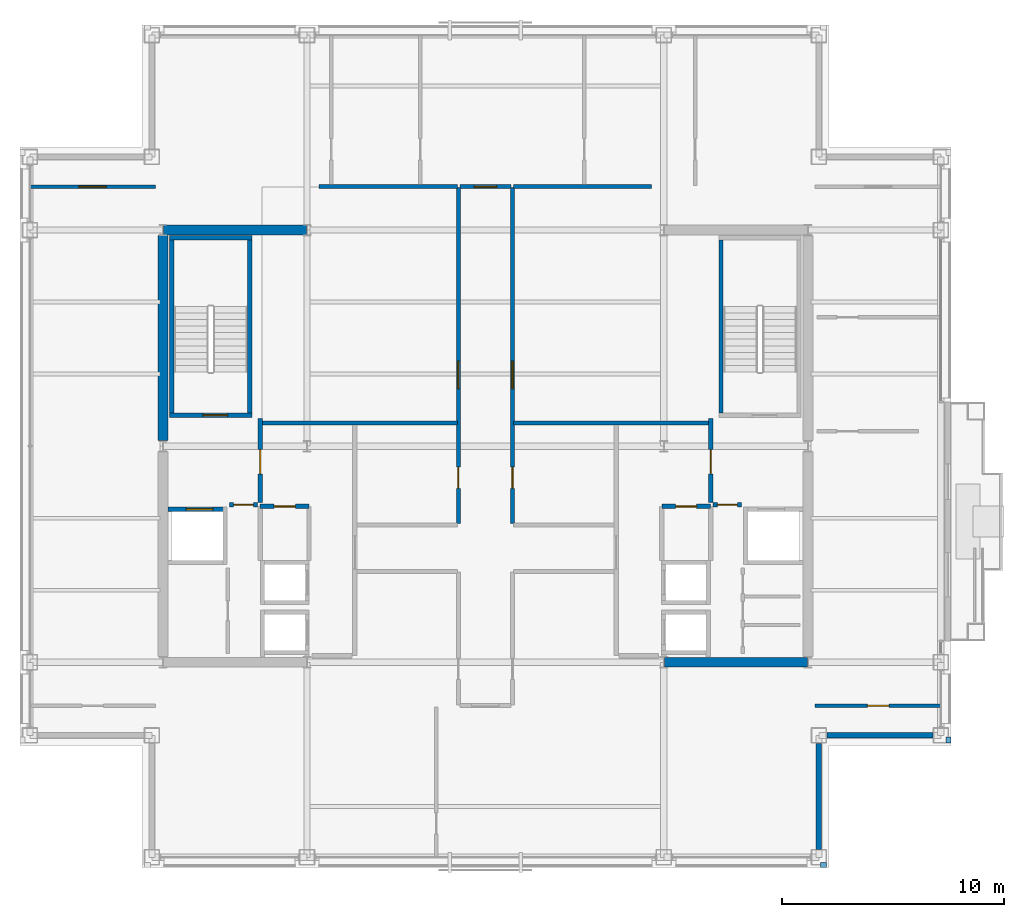
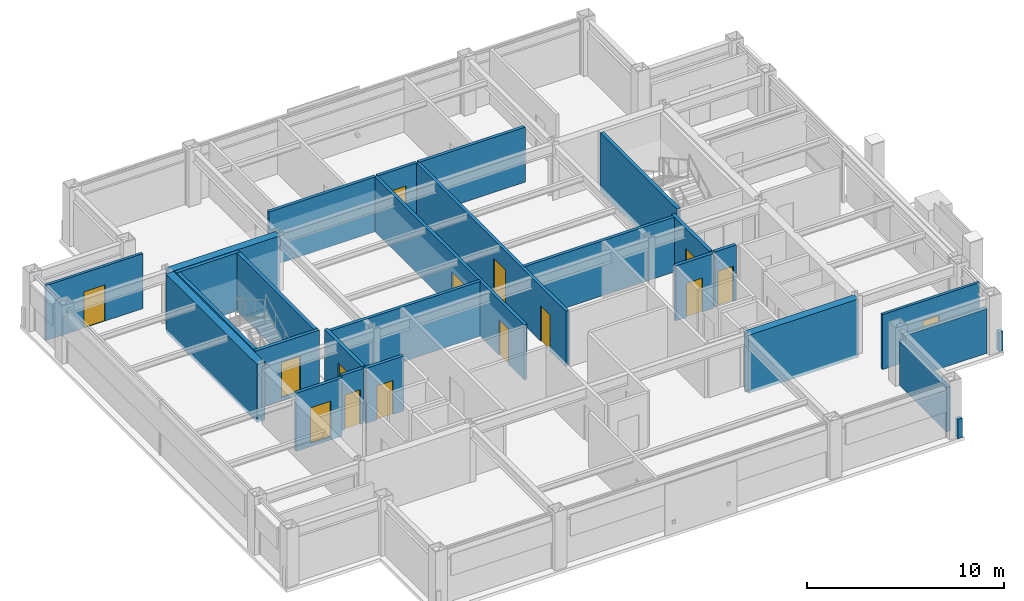
# One storey, part 26 of 30: 28 walls, 15 doors, 15 openings.
"""IFC4 building model written with IfcOpenShell, lengths in metres."""

from ifc_helpers import new_model, si_unit, direction, frame, frame_2d, origin, place, context, subcontext, project, spatial, rectangle, extrude, material, layer, layer_set, type_object, element, fill, save


model = new_model("IFC4")

# Units and contexts
model_context = context("Model", 3, precision=1e-05, world=origin(), true_north=direction((0.0, 1.0)))
body_context = subcontext(model_context, "Body", "Model", "MODEL_VIEW")
ifc_project = project(units=[si_unit("LENGTHUNIT", "METRE"), si_unit("AREAUNIT", "SQUARE_METRE"), si_unit("VOLUMEUNIT", "CUBIC_METRE"), si_unit("PLANEANGLEUNIT", "RADIAN"), si_unit("MASSUNIT", "GRAM", prefix="KILO")], contexts=[model_context])

# Site, building, storey
site_placement = place(None, origin())
site = spatial("IfcSite", under=ifc_project, at=site_placement, CompositionType="ELEMENT")
building_placement = place(site_placement, origin())
building = spatial("IfcBuilding", under=site, at=building_placement, Name="Brelmoor Portico Tower", CompositionType="ELEMENT")
storey_placement = place(building_placement, frame((0.0, 0.0, 198.300048828125)))
storey = spatial("IfcBuildingStorey", under=building, at=storey_placement, Name="L52", CompositionType="ELEMENT", Elevation=198.300048828125)

# Walls
ifc_material_1 = material(Name="Concrete C50", Category="concrete")
ifc_layer_1 = layer(ifc_material_1, 0.449951171875)
ifc_layer_set_1 = layer_set([ifc_layer_1], Name="Concrete C50")
wall_type_1 = type_object("IfcWallType", Name="WL-CORE-450", PredefinedType="SHEAR", material=ifc_layer_set_1)
wall_1_placement = place(storey_placement, frame((-14.530029296875, 9.75, -0.199951171875), z_axis=(0.0, 0.0, 1.0), x_axis=(1.0, 0.0, 0.0)))
element("IfcWall", 1, at=wall_1_placement, inside=storey, type_object=wall_type_1, Name="L52 WC North Shear Wall", PredefinedType="SHEAR", context=body_context, shape_type="SweptSolid", body=[
    extrude(rectangle(XDim=6.4599609375, YDim=0.449951171875, at=frame_2d((3.22998046875, 0.0))), origin(), (0.0, 0.0, 1.0), 3.599853515625),
])
wall_2_placement = place(storey_placement, frame((-14.550048828125, 0.25, -0.199951171875), z_axis=(0.0, 0.0, 1.0), x_axis=(0.0, 1.0, 0.0)))
element("IfcWall", 2, at=wall_2_placement, inside=storey, type_object=wall_type_1, Name="L52 WC Outer North Shear Wall", PredefinedType="SHEAR", context=body_context, shape_type="SweptSolid", body=[
    extrude(rectangle(XDim=9.25, YDim=0.449951171875, at=frame_2d((4.625, 0.0))), origin(), (0.0, 0.0, 1.0), 3.599853515625),
])
wall_3_placement = place(storey_placement, frame((8.070068359375, -9.75, -0.199951171875), z_axis=(0.0, 0.0, 1.0), x_axis=(1.0, 0.0, 0.0)))
element("IfcWall", 3, at=wall_3_placement, inside=storey, type_object=wall_type_1, Name="L52 EC South Shear Wall", PredefinedType="SHEAR", context=body_context, shape_type="SweptSolid", body=[
    extrude(rectangle(XDim=6.4599609375, YDim=0.449951171875, at=frame_2d((3.22998046875, 0.0))), origin(), (0.0, 0.0, 1.0), 3.599853515625),
])
ifc_material_2 = material(Name="Precast Concrete C40 Insulated Facade Wall", Category="concrete")
ifc_layer_2 = layer(ifc_material_2, 0.25)
ifc_layer_set_2 = layer_set([ifc_layer_2], Name="Precast Concrete C40 Insulated Facade Wall")
wall_type_2 = type_object("IfcWallType", Name="WL-EXT-250", PredefinedType="STANDARD", material=ifc_layer_set_2)
for number, where, z_axis, x_axis, name in (
    (4, (15.409912109375, -13.050048828125, 0.0), (0.0, 0.0, 1.0), (1.0, 0.0, 0.0), "L52 Corner Notch Facade Wall NSEH1"),
    (5, (15.050048828125, -18.18994140625, 0.0), (0.0, 0.0, 1.0), (0.0, 1.0, 0.0), "L52 Corner Notch Facade Wall NSEV1"),
):
    element("IfcWall", number, at=place(storey_placement, frame(where, z_axis=z_axis, x_axis=x_axis)), inside=storey, type_object=wall_type_2, Name=name, PredefinedType="STANDARD", context=body_context, shape_type="SweptSolid", body=[
        extrude(rectangle(XDim=4.780029296875, YDim=0.25, at=frame_2d((2.39013671875, 0.0))), origin(), (0.0, 0.0, 1.0), 2.75),
    ])
ifc_material_3 = material(Name="Concrete C40 Parapet Upstand", Category="concrete")
ifc_layer_3 = layer(ifc_material_3, 0.219970703125)
ifc_layer_set_3 = layer_set([ifc_layer_3], Name="Concrete C40 Parapet Upstand")
wall_type_3 = type_object("IfcWallType", Name="WL-PARAPET-220", PredefinedType="PARAPET", material=ifc_layer_set_3)
for number, where, z_axis, x_axis, name in (
    (6, (15.1201171875, -18.889892578125, 0.0), (0.0, 0.0, 1.0), (1.0, 0.0, 0.0), "L52 Chamfer Vertex Parapet Pier SE1"),
    (7, (20.889892578125, -13.389892578125, 0.0), (0.0, 0.0, 1.0), (0.0, 1.0, 0.0), "L52 Chamfer Vertex Parapet Pier SE2"),
):
    element("IfcWall", number, at=place(storey_placement, frame(where, z_axis=z_axis, x_axis=x_axis)), inside=storey, type_object=wall_type_3, Name=name, PredefinedType="PARAPET", context=body_context, shape_type="SweptSolid", body=[
        extrude(rectangle(XDim=0.269775390625, YDim=0.219970703125, at=frame_2d((0.134765625, 0.0))), origin(), (0.0, 0.0, 1.0), 1.199951171875),
    ])

# Wall, opening, door
ifc_material_4 = material(Name="Twin-Frame Acoustic Partition", Category="gypsum")
ifc_layer_4 = layer(ifc_material_4, 0.159912109375)
ifc_layer_set_4 = layer_set([ifc_layer_4], Name="Twin-Frame Acoustic Partition")
wall_type_4 = type_object("IfcWallType", Name="WL-PART-160", PredefinedType="PARTITIONING", material=ifc_layer_set_4)
wall_4_placement = place(storey_placement, frame((-20.56005859375, 11.7099609375, 0.0), z_axis=(0.0, 0.0, 1.0), x_axis=(1.0, 0.0, 0.0)))
wall_4 = element("IfcWall", 8, at=wall_4_placement, inside=storey, type_object=wall_type_4, Name="L52 North Wing Suite Wall WL", PredefinedType="PARTITIONING", context=body_context, shape_type="SweptSolid", body=[
    extrude(rectangle(XDim=5.68017578125, YDim=0.159912109375, at=frame_2d((2.840087890625, 0.0))), origin(), (0.0, 0.0, 1.0), 3.39990234375),
])
opening_1_placement = place(wall_4_placement, frame((2.219970703125, 0.0, 0.0)))
opening_1 = element("IfcOpeningElement", 9, at=opening_1_placement, cuts=wall_4, Name="Opening D-SU1", PredefinedType="OPENING", context=body_context, shape_type="SweptSolid", body=[
    extrude(rectangle(XDim=1.239990234375, YDim=2.239990234375, at=frame_2d((0.6201171875, 1.1201171875))), frame((0.0, 0.08984375, 0.0), z_axis=(0.0, -1.0, 0.0), x_axis=(1.0, 0.0, 0.0)), (0.0, 0.0, 1.0), 0.179931640625),
])
ifc_material_5 = material(Name="Glazed Timber Executive Suite Door", Category="wood")
door_type_1 = type_object("IfcDoorType", Name="DR-SUITE-1200", OperationType="NOTDEFINED", PredefinedType="DOOR", material=ifc_material_5)
door_1_placement = place(opening_1_placement, origin())
door_1 = element("IfcDoor", 10, at=door_1_placement, inside=storey, type_object=door_type_1, Name="D-2204 L52 WL Wing Suite Connecting Door", OperationType="SINGLE_SWING_RIGHT", OverallHeight=2.239990234375, OverallWidth=1.239990234375, PredefinedType="DOOR", context=body_context, shape_type="SweptSolid", body=[
    extrude(rectangle(XDim=1.239990234375, YDim=2.239990234375, at=frame_2d((0.6201171875, 1.1201171875))), frame((0.0, 0.02490234375, 0.0), z_axis=(0.0, -1.0, 0.0), x_axis=(1.0, 0.0, 0.0)), (0.0, 0.0, 1.0), 0.050048828125),
])
fill(opening_1, door_1)

wall_5_placement = place(storey_placement, frame((14.8798828125, -11.7099609375, 0.0), z_axis=(0.0, 0.0, 1.0), x_axis=(1.0, 0.0, 0.0)))
wall_5 = element("IfcWall", 11, at=wall_5_placement, inside=storey, type_object=wall_type_4, Name="L52 South Wing Closure ER", PredefinedType="PARTITIONING", context=body_context, shape_type="SweptSolid", body=[
    extrude(rectangle(XDim=5.68017578125, YDim=0.159912109375, at=frame_2d((2.840087890625, 0.0))), origin(), (0.0, 0.0, 1.0), 3.39990234375),
])
opening_2_placement = place(wall_5_placement, frame((2.360107421875, 0.0, 0.0)))
opening_2 = element("IfcOpeningElement", 12, at=opening_2_placement, cuts=wall_5, Name="Opening D-IN2", PredefinedType="OPENING", context=body_context, shape_type="SweptSolid", body=[
    extrude(rectangle(XDim=0.9599609375, YDim=2.179931640625, at=frame_2d((0.47998046875, 1.08984375))), frame((0.0, 0.08984375, 0.0), z_axis=(0.0, -1.0, 0.0), x_axis=(1.0, 0.0, 0.0)), (0.0, 0.0, 1.0), 0.179931640625),
])
ifc_material_6 = material(Name="Lacquered Timber Suite Door", Category="wood")
door_type_2 = type_object("IfcDoorType", Name="DR-INT-950", OperationType="NOTDEFINED", PredefinedType="DOOR", material=ifc_material_6)
door_2_placement = place(opening_2_placement, origin())
door_2 = element("IfcDoor", 13, at=door_2_placement, inside=storey, type_object=door_type_2, Name="D-2209 L52 ER Wing South Suite Door", OperationType="SINGLE_SWING_LEFT", OverallHeight=2.179931640625, OverallWidth=0.9599609375, PredefinedType="DOOR", context=body_context, shape_type="SweptSolid", body=[
    extrude(rectangle(XDim=0.9599609375, YDim=2.179931640625, at=frame_2d((0.47998046875, 1.08984375))), frame((0.0, 0.02490234375, 0.0), z_axis=(0.0, -1.0, 0.0), x_axis=(1.0, 0.0, 0.0)), (0.0, 0.0, 1.0), 0.050048828125),
])
fill(opening_2, door_2)

# Wall
ifc_material_7 = material(Name="Acoustic Corridor Fire Partition", Category="gypsum")
ifc_layer_5 = layer(ifc_material_7, 0.179931640625)
ifc_layer_set_5 = layer_set([ifc_layer_5], Name="Acoustic Corridor Fire Partition")
wall_type_5 = type_object("IfcWallType", Name="WL-PART-180", PredefinedType="PARTITIONING", material=ifc_layer_set_5)
wall_6_placement = place(storey_placement, frame((-10.050048828125, 1.050048828125, 0.0), z_axis=(0.0, 0.0, 1.0), x_axis=(1.0, 0.0, 0.0)))
element("IfcWall", 14, at=wall_6_placement, inside=storey, type_object=wall_type_5, Name="L52 West Reclaimed Suite South Wall", PredefinedType="PARTITIONING", context=body_context, shape_type="SweptSolid", body=[
    extrude(rectangle(XDim=8.7900390625, YDim=0.179931640625, at=frame_2d((4.39501953125, 0.0))), origin(), (0.0, 0.0, 1.0), 3.39990234375),
])

# Wall, openings, doors
wall_7_placement = place(storey_placement, frame((-1.219970703125, -3.5, 0.0), z_axis=(0.0, 0.0, 1.0), x_axis=(0.0, 1.0, 0.0)))
wall_7 = element("IfcWall", 15, at=wall_7_placement, inside=storey, type_object=wall_type_5, Name="L52 Central Cross West Wall", PredefinedType="PARTITIONING", context=body_context, shape_type="SweptSolid", body=[
    extrude(rectangle(XDim=15.169921875, YDim=0.179931640625, at=frame_2d((7.5849609375, 0.0))), origin(), (0.0, 0.0, 1.0), 3.39990234375),
])
opening_3_placement = place(wall_7_placement, frame((6.10009765625, 0.0, 0.0)))
opening_3 = element("IfcOpeningElement", 16, at=opening_3_placement, cuts=wall_7, Name="Opening D-SU1", PredefinedType="OPENING", context=body_context, shape_type="SweptSolid", body=[
    extrude(rectangle(XDim=1.239990234375, YDim=2.239990234375, at=frame_2d((0.6201171875, 1.1201171875))), frame((0.0, 0.099853515625, 0.0), z_axis=(0.0, -1.0, 0.0), x_axis=(1.0, 0.0, 0.0)), (0.0, 0.0, 1.0), 0.199951171875),
])
opening_4_placement = place(wall_7_placement, frame((1.60009765625, 0.0, 0.0)))
opening_4 = element("IfcOpeningElement", 17, at=opening_4_placement, cuts=wall_7, Name="Opening D-IN2", PredefinedType="OPENING", context=body_context, shape_type="SweptSolid", body=[
    extrude(rectangle(XDim=0.9599609375, YDim=2.179931640625, at=frame_2d((0.47998046875, 1.08984375))), frame((0.0, 0.099853515625, 0.0), z_axis=(0.0, -1.0, 0.0), x_axis=(1.0, 0.0, 0.0)), (0.0, 0.0, 1.0), 0.199951171875),
])
door_3_placement = place(opening_4_placement, origin())
door_3 = element("IfcDoor", 18, at=door_3_placement, inside=storey, type_object=door_type_2, Name="D-2184 L52 Staff Pantry Door", OperationType="SINGLE_SWING_RIGHT", OverallHeight=2.179931640625, OverallWidth=0.9599609375, PredefinedType="DOOR", context=body_context, shape_type="SweptSolid", body=[
    extrude(rectangle(XDim=0.9599609375, YDim=2.179931640625, at=frame_2d((0.47998046875, 1.08984375))), frame((0.0, 0.02490234375, 0.0), z_axis=(0.0, -1.0, 0.0), x_axis=(1.0, 0.0, 0.0)), (0.0, 0.0, 1.0), 0.050048828125),
])
fill(opening_4, door_3)
door_4_placement = place(opening_3_placement, origin())
door_4 = element("IfcDoor", 19, at=door_4_placement, inside=storey, type_object=door_type_1, Name="D-2185 L52 West Reclaimed Studio Door", OperationType="SINGLE_SWING_LEFT", OverallHeight=2.239990234375, OverallWidth=1.239990234375, PredefinedType="DOOR", context=body_context, shape_type="SweptSolid", body=[
    extrude(rectangle(XDim=1.239990234375, YDim=2.239990234375, at=frame_2d((0.6201171875, 1.1201171875))), frame((0.0, 0.02490234375, 0.0), z_axis=(0.0, -1.0, 0.0), x_axis=(1.0, 0.0, 0.0)), (0.0, 0.0, 1.0), 0.050048828125),
])
fill(opening_3, door_4)

# Walls
wall_8_placement = place(storey_placement, frame((-7.5, 11.7099609375, 0.0), z_axis=(0.0, 0.0, 1.0), x_axis=(1.0, 0.0, 0.0)))
element("IfcWall", 20, at=wall_8_placement, inside=storey, type_object=wall_type_5, Name="L52 West Reclaimed Suite North Wall", PredefinedType="PARTITIONING", context=body_context, shape_type="SweptSolid", body=[
    extrude(rectangle(XDim=6.239990234375, YDim=0.179931640625, at=frame_2d((3.1201171875, 0.0))), origin(), (0.0, 0.0, 1.0), 3.39990234375),
])
wall_9_placement = place(storey_placement, frame((1.260009765625, 1.050048828125, 0.0), z_axis=(0.0, 0.0, 1.0), x_axis=(1.0, 0.0, 0.0)))
element("IfcWall", 21, at=wall_9_placement, inside=storey, type_object=wall_type_5, Name="L52 East Suite South Wall", PredefinedType="PARTITIONING", context=body_context, shape_type="SweptSolid", body=[
    extrude(rectangle(XDim=8.800048828125, YDim=0.179931640625, at=frame_2d((4.39990234375, 0.0))), origin(), (0.0, 0.0, 1.0), 3.39990234375),
])

# Wall, openings, doors
wall_10_placement = place(storey_placement, frame((1.219970703125, -3.5, 0.0), z_axis=(0.0, 0.0, 1.0), x_axis=(0.0, 1.0, 0.0)))
wall_10 = element("IfcWall", 22, at=wall_10_placement, inside=storey, type_object=wall_type_5, Name="L52 Central Cross East Wall", PredefinedType="PARTITIONING", context=body_context, shape_type="SweptSolid", body=[
    extrude(rectangle(XDim=15.169921875, YDim=0.179931640625, at=frame_2d((7.5849609375, 0.0))), origin(), (0.0, 0.0, 1.0), 3.39990234375),
])
opening_5_placement = place(wall_10_placement, frame((6.10009765625, 0.0, 0.0)))
opening_5 = element("IfcOpeningElement", 23, at=opening_5_placement, cuts=wall_10, Name="Opening D-SU1", PredefinedType="OPENING", context=body_context, shape_type="SweptSolid", body=[
    extrude(rectangle(XDim=1.239990234375, YDim=2.239990234375, at=frame_2d((0.6201171875, 1.1201171875))), frame((0.0, 0.099853515625, 0.0), z_axis=(0.0, -1.0, 0.0), x_axis=(1.0, 0.0, 0.0)), (0.0, 0.0, 1.0), 0.199951171875),
])
opening_6_placement = place(wall_10_placement, frame((1.60009765625, 0.0, 0.0)))
opening_6 = element("IfcOpeningElement", 24, at=opening_6_placement, cuts=wall_10, Name="Opening D-IN2", PredefinedType="OPENING", context=body_context, shape_type="SweptSolid", body=[
    extrude(rectangle(XDim=0.9599609375, YDim=2.179931640625, at=frame_2d((0.47998046875, 1.08984375))), frame((0.0, 0.099853515625, 0.0), z_axis=(0.0, -1.0, 0.0), x_axis=(1.0, 0.0, 0.0)), (0.0, 0.0, 1.0), 0.199951171875),
])
door_5_placement = place(opening_6_placement, origin())
door_5 = element("IfcDoor", 25, at=door_5_placement, inside=storey, type_object=door_type_2, Name="D-2180 L52 Client Project Office Door", OperationType="SINGLE_SWING_RIGHT", OverallHeight=2.179931640625, OverallWidth=0.9599609375, PredefinedType="DOOR", context=body_context, shape_type="SweptSolid", body=[
    extrude(rectangle(XDim=0.9599609375, YDim=2.179931640625, at=frame_2d((0.47998046875, 1.08984375))), frame((0.0, 0.02490234375, 0.0), z_axis=(0.0, -1.0, 0.0), x_axis=(1.0, 0.0, 0.0)), (0.0, 0.0, 1.0), 0.050048828125),
])
fill(opening_6, door_5)
door_6_placement = place(opening_5_placement, origin())
door_6 = element("IfcDoor", 26, at=door_6_placement, inside=storey, type_object=door_type_1, Name="D-2181 L52 East Reclaimed Studio Door", OperationType="SINGLE_SWING_LEFT", OverallHeight=2.239990234375, OverallWidth=1.239990234375, PredefinedType="DOOR", context=body_context, shape_type="SweptSolid", body=[
    extrude(rectangle(XDim=1.239990234375, YDim=2.239990234375, at=frame_2d((0.6201171875, 1.1201171875))), frame((0.0, 0.02490234375, 0.0), z_axis=(0.0, -1.0, 0.0), x_axis=(1.0, 0.0, 0.0)), (0.0, 0.0, 1.0), 0.050048828125),
])
fill(opening_5, door_6)

# Wall
wall_11_placement = place(storey_placement, frame((1.260009765625, 11.7099609375, 0.0), z_axis=(0.0, 0.0, 1.0), x_axis=(1.0, 0.0, 0.0)))
element("IfcWall", 27, at=wall_11_placement, inside=storey, type_object=wall_type_5, Name="L52 East Suite North Wall", PredefinedType="PARTITIONING", context=body_context, shape_type="SweptSolid", body=[
    extrude(rectangle(XDim=6.239990234375, YDim=0.179931640625, at=frame_2d((3.1201171875, 0.0))), origin(), (0.0, 0.0, 1.0), 3.39990234375),
])

# Wall, opening, door
wall_12_placement = place(storey_placement, frame((-1.14990234375, 11.7099609375, 0.0), z_axis=(0.0, 0.0, 1.0), x_axis=(1.0, 0.0, 0.0)))
wall_12 = element("IfcWall", 28, at=wall_12_placement, inside=storey, type_object=wall_type_5, Name="L52 North Corridor Partition", PredefinedType="PARTITIONING", context=body_context, shape_type="SweptSolid", body=[
    extrude(rectangle(XDim=2.2998046875, YDim=0.179931640625, at=frame_2d((1.14990234375, 0.0))), origin(), (0.0, 0.0, 1.0), 3.39990234375),
])
opening_7_placement = place(wall_12_placement, frame((0.639892578125, 0.0, 0.0)))
opening_7 = element("IfcOpeningElement", 29, at=opening_7_placement, cuts=wall_12, Name="Opening D-OF1", PredefinedType="OPENING", context=body_context, shape_type="SweptSolid", body=[
    extrude(rectangle(XDim=1.02001953125, YDim=2.199951171875, at=frame_2d((0.510009765625, 1.10009765625))), frame((0.0, 0.099853515625, 0.0), z_axis=(0.0, -1.0, 0.0), x_axis=(1.0, 0.0, 0.0)), (0.0, 0.0, 1.0), 0.199951171875),
])
ifc_material_8 = material(Name="Hardwood Acoustic Veneer Door", Category="wood")
door_type_3 = type_object("IfcDoorType", Name="DR-OFFICE-1000", OperationType="NOTDEFINED", PredefinedType="DOOR", material=ifc_material_8)
door_7_placement = place(opening_7_placement, origin())
door_7 = element("IfcDoor", 30, at=door_7_placement, inside=storey, type_object=door_type_3, Name="D-2198 L52 North Partner Office 3 Door", OperationType="SINGLE_SWING_LEFT", OverallHeight=2.199951171875, OverallWidth=1.02001953125, PredefinedType="DOOR", context=body_context, shape_type="SweptSolid", body=[
    extrude(rectangle(XDim=1.02001953125, YDim=2.199951171875, at=frame_2d((0.510009765625, 1.10009765625))), frame((0.0, 0.02490234375, 0.0), z_axis=(0.0, -1.0, 0.0), x_axis=(1.0, 0.0, 0.0)), (0.0, 0.0, 1.0), 0.050048828125),
])
fill(opening_7, door_7)

ifc_material_9 = material(Name="Double-Stud Gypsum Fire Partition", Category="gypsum")
ifc_layer_6 = layer(ifc_material_9, 0.199951171875)
ifc_layer_set_6 = layer_set([ifc_layer_6], Name="Double-Stud Gypsum Fire Partition")
wall_type_6 = type_object("IfcWallType", Name="WL-PART-200", PredefinedType="PARTITIONING", material=ifc_layer_set_6)
wall_13_placement = place(storey_placement, frame((-10.159912109375, -2.550048828125, 0.0), z_axis=(0.0, 0.0, 1.0), x_axis=(0.0, 1.0, 0.0)))
wall_13 = element("IfcWall", 31, at=wall_13_placement, inside=storey, type_object=wall_type_6, Name="L52 W Firefighting Lobby Wall", PredefinedType="PARTITIONING", context=body_context, shape_type="SweptSolid", body=[
    extrude(rectangle(XDim=3.800048828125, YDim=0.199951171875, at=frame_2d((1.89990234375, 0.0))), origin(), (0.0, 0.0, 1.0), 3.39990234375),
])
opening_8_placement = place(wall_13_placement, frame((1.300048828125, 0.0, 0.0)))
opening_8 = element("IfcOpeningElement", 32, at=opening_8_placement, cuts=wall_13, Name="Opening D-FR1", PredefinedType="OPENING", context=body_context, shape_type="SweptSolid", body=[
    extrude(rectangle(XDim=1.10009765625, YDim=2.14990234375, at=frame_2d((0.550048828125, 1.074951171875))), frame((0.0, 0.10986328125, 0.0), z_axis=(0.0, -1.0, 0.0), x_axis=(1.0, 0.0, 0.0)), (0.0, 0.0, 1.0), 0.219970703125),
])
ifc_material_10 = material(Name="Painted Galvanised Steel Fire Door", Category="steel")
door_type_4 = type_object("IfcDoorType", Name="DR-FIRE-1100", OperationType="NOTDEFINED", PredefinedType="DOOR", material=ifc_material_10)
door_8_placement = place(opening_8_placement, origin())
door_8 = element("IfcDoor", 33, at=door_8_placement, inside=storey, type_object=door_type_4, Name="D-2195 L52 W Firefighting Lobby Door", OperationType="SINGLE_SWING_LEFT", OverallHeight=2.14990234375, OverallWidth=1.10009765625, PredefinedType="DOOR", context=body_context, shape_type="SweptSolid", body=[
    extrude(rectangle(XDim=1.10009765625, YDim=2.14990234375, at=frame_2d((0.550048828125, 1.074951171875))), frame((0.0, 0.02490234375, 0.0), z_axis=(0.0, -1.0, 0.0), x_axis=(1.0, 0.0, 0.0)), (0.0, 0.0, 1.0), 0.050048828125),
])
fill(opening_8, door_8)

wall_14_placement = place(storey_placement, frame((-10.280029296875, -2.64990234375, 0.0), z_axis=(0.0, 0.0, 1.0), x_axis=(-1.0, 0.0, 0.0)))
wall_14 = element("IfcWall", 34, at=wall_14_placement, inside=storey, type_object=wall_type_6, Name="L52 W Firefighting Lobby South Wall", PredefinedType="PARTITIONING", context=body_context, shape_type="SweptSolid", body=[
    extrude(rectangle(XDim=1.27001953125, YDim=0.199951171875, at=frame_2d((0.635009765625, 0.0))), origin(), (0.0, 0.0, 1.0), 3.39990234375),
])
opening_9_placement = place(wall_14_placement, frame((0.18505859375, 0.0, 0.0)))
opening_9 = element("IfcOpeningElement", 35, at=opening_9_placement, cuts=wall_14, Name="Opening D-IN1", PredefinedType="OPENING", context=body_context, shape_type="SweptSolid", body=[
    extrude(rectangle(XDim=0.89990234375, YDim=2.14990234375, at=frame_2d((0.449951171875, 1.074951171875))), frame((0.0, 0.10986328125, 0.0), z_axis=(0.0, -1.0, 0.0), x_axis=(1.0, 0.0, 0.0)), (0.0, 0.0, 1.0), 0.219970703125),
])
door_type_5 = type_object("IfcDoorType", Name="DR-INT-900", OperationType="NOTDEFINED", PredefinedType="DOOR", material=ifc_material_6)
door_9_placement = place(opening_9_placement, origin())
door_9 = element("IfcDoor", 36, at=door_9_placement, inside=storey, type_object=door_type_5, Name="D-2190 L52 W Core Service Vestibule Door", OperationType="SINGLE_SWING_RIGHT", OverallHeight=2.14990234375, OverallWidth=0.89990234375, PredefinedType="DOOR", context=body_context, shape_type="SweptSolid", body=[
    extrude(rectangle(XDim=0.89990234375, YDim=2.14990234375, at=frame_2d((0.449951171875, 1.074951171875))), frame((0.0, 0.02490234375, 0.0), z_axis=(0.0, -1.0, 0.0), x_axis=(1.0, 0.0, 0.0)), (0.0, 0.0, 1.0), 0.050048828125),
])
fill(opening_9, door_9)

wall_15_placement = place(storey_placement, frame((-7.9599609375, -2.719970703125, 0.0), z_axis=(0.0, 0.0, 1.0), x_axis=(-1.0, 0.0, 0.0)))
wall_15 = element("IfcWall", 37, at=wall_15_placement, inside=storey, type_object=wall_type_6, Name="L52 W Electrical Switchgear Closet Wall", PredefinedType="PARTITIONING", context=body_context, shape_type="SweptSolid", body=[
    extrude(rectangle(XDim=2.199951171875, YDim=0.199951171875, at=frame_2d((1.10009765625, 0.0))), origin(), (0.0, 0.0, 1.0), 3.39990234375),
])
opening_10_placement = place(wall_15_placement, frame((0.6201171875, 0.0, 0.0)))
opening_10 = element("IfcOpeningElement", 38, at=opening_10_placement, cuts=wall_15, Name="Opening D-FR4", PredefinedType="OPENING", context=body_context, shape_type="SweptSolid", body=[
    extrude(rectangle(XDim=0.949951171875, YDim=2.10009765625, at=frame_2d((0.47509765625, 1.050048828125))), frame((0.0, 0.10986328125, 0.0), z_axis=(0.0, -1.0, 0.0), x_axis=(1.0, 0.0, 0.0)), (0.0, 0.0, 1.0), 0.219970703125),
])
ifc_material_11 = material(Name="Painted Galvanised Steel Riser Door", Category="steel")
door_type_6 = type_object("IfcDoorType", Name="DR-FIRE-950", OperationType="NOTDEFINED", PredefinedType="DOOR", material=ifc_material_11)
door_10_placement = place(opening_10_placement, origin())
door_10 = element("IfcDoor", 39, at=door_10_placement, inside=storey, type_object=door_type_6, Name="D-2193 L52 W Electrical Switchgear Closet Door", OperationType="SINGLE_SWING_LEFT", OverallHeight=2.10009765625, OverallWidth=0.949951171875, PredefinedType="DOOR", context=body_context, shape_type="SweptSolid", body=[
    extrude(rectangle(XDim=0.949951171875, YDim=2.10009765625, at=frame_2d((0.47509765625, 1.050048828125))), frame((0.0, 0.02490234375, 0.0), z_axis=(0.0, -1.0, 0.0), x_axis=(1.0, 0.0, 0.0)), (0.0, 0.0, 1.0), 0.050048828125),
])
fill(opening_10, door_10)

wall_16_placement = place(storey_placement, frame((10.159912109375, -2.550048828125, 0.0), z_axis=(0.0, 0.0, 1.0), x_axis=(0.0, 1.0, 0.0)))
wall_16 = element("IfcWall", 40, at=wall_16_placement, inside=storey, type_object=wall_type_6, Name="L52 E Firefighting Lobby Wall", PredefinedType="PARTITIONING", context=body_context, shape_type="SweptSolid", body=[
    extrude(rectangle(XDim=3.800048828125, YDim=0.199951171875, at=frame_2d((1.89990234375, 0.0))), origin(), (0.0, 0.0, 1.0), 3.39990234375),
])
opening_11_placement = place(wall_16_placement, frame((1.300048828125, 0.0, 0.0)))
opening_11 = element("IfcOpeningElement", 41, at=opening_11_placement, cuts=wall_16, Name="Opening D-FR1", PredefinedType="OPENING", context=body_context, shape_type="SweptSolid", body=[
    extrude(rectangle(XDim=1.10009765625, YDim=2.14990234375, at=frame_2d((0.550048828125, 1.074951171875))), frame((0.0, 0.10986328125, 0.0), z_axis=(0.0, -1.0, 0.0), x_axis=(1.0, 0.0, 0.0)), (0.0, 0.0, 1.0), 0.219970703125),
])
door_11_placement = place(opening_11_placement, origin())
door_11 = element("IfcDoor", 42, at=door_11_placement, inside=storey, type_object=door_type_4, Name="D-2194 L52 E Firefighting Lobby Door", OperationType="SINGLE_SWING_LEFT", OverallHeight=2.14990234375, OverallWidth=1.10009765625, PredefinedType="DOOR", context=body_context, shape_type="SweptSolid", body=[
    extrude(rectangle(XDim=1.10009765625, YDim=2.14990234375, at=frame_2d((0.550048828125, 1.074951171875))), frame((0.0, 0.02490234375, 0.0), z_axis=(0.0, -1.0, 0.0), x_axis=(1.0, 0.0, 0.0)), (0.0, 0.0, 1.0), 0.050048828125),
])
fill(opening_11, door_11)

wall_17_placement = place(storey_placement, frame((10.280029296875, -2.64990234375, 0.0), z_axis=(0.0, 0.0, 1.0), x_axis=(1.0, 0.0, 0.0)))
wall_17 = element("IfcWall", 43, at=wall_17_placement, inside=storey, type_object=wall_type_6, Name="L52 E Firefighting Lobby South Wall", PredefinedType="PARTITIONING", context=body_context, shape_type="SweptSolid", body=[
    extrude(rectangle(XDim=1.27001953125, YDim=0.199951171875, at=frame_2d((0.635009765625, 0.0))), origin(), (0.0, 0.0, 1.0), 3.39990234375),
])
opening_12_placement = place(wall_17_placement, frame((0.18505859375, 0.0, 0.0)))
opening_12 = element("IfcOpeningElement", 44, at=opening_12_placement, cuts=wall_17, Name="Opening D-IN1", PredefinedType="OPENING", context=body_context, shape_type="SweptSolid", body=[
    extrude(rectangle(XDim=0.89990234375, YDim=2.14990234375, at=frame_2d((0.449951171875, 1.074951171875))), frame((0.0, 0.10986328125, 0.0), z_axis=(0.0, -1.0, 0.0), x_axis=(1.0, 0.0, 0.0)), (0.0, 0.0, 1.0), 0.219970703125),
])
door_12_placement = place(opening_12_placement, origin())
door_12 = element("IfcDoor", 45, at=door_12_placement, inside=storey, type_object=door_type_5, Name="D-2189 L52 E Core Service Vestibule Door", OperationType="SINGLE_SWING_RIGHT", OverallHeight=2.14990234375, OverallWidth=0.89990234375, PredefinedType="DOOR", context=body_context, shape_type="SweptSolid", body=[
    extrude(rectangle(XDim=0.89990234375, YDim=2.14990234375, at=frame_2d((0.449951171875, 1.074951171875))), frame((0.0, 0.02490234375, 0.0), z_axis=(0.0, -1.0, 0.0), x_axis=(1.0, 0.0, 0.0)), (0.0, 0.0, 1.0), 0.050048828125),
])
fill(opening_12, door_12)

wall_18_placement = place(storey_placement, frame((7.9599609375, -2.719970703125, 0.0), z_axis=(0.0, 0.0, 1.0), x_axis=(1.0, 0.0, 0.0)))
wall_18 = element("IfcWall", 46, at=wall_18_placement, inside=storey, type_object=wall_type_6, Name="L52 E Electrical Switchgear Closet Wall", PredefinedType="PARTITIONING", context=body_context, shape_type="SweptSolid", body=[
    extrude(rectangle(XDim=2.199951171875, YDim=0.199951171875, at=frame_2d((1.10009765625, 0.0))), origin(), (0.0, 0.0, 1.0), 3.39990234375),
])
opening_13_placement = place(wall_18_placement, frame((0.6201171875, 0.0, 0.0)))
opening_13 = element("IfcOpeningElement", 47, at=opening_13_placement, cuts=wall_18, Name="Opening D-FR4", PredefinedType="OPENING", context=body_context, shape_type="SweptSolid", body=[
    extrude(rectangle(XDim=0.949951171875, YDim=2.10009765625, at=frame_2d((0.47509765625, 1.050048828125))), frame((0.0, 0.10986328125, 0.0), z_axis=(0.0, -1.0, 0.0), x_axis=(1.0, 0.0, 0.0)), (0.0, 0.0, 1.0), 0.219970703125),
])
door_13_placement = place(opening_13_placement, origin())
door_13 = element("IfcDoor", 48, at=door_13_placement, inside=storey, type_object=door_type_6, Name="D-2192 L52 E Electrical Switchgear Closet Door", OperationType="SINGLE_SWING_LEFT", OverallHeight=2.10009765625, OverallWidth=0.949951171875, PredefinedType="DOOR", context=body_context, shape_type="SweptSolid", body=[
    extrude(rectangle(XDim=0.949951171875, YDim=2.10009765625, at=frame_2d((0.47509765625, 1.050048828125))), frame((0.0, 0.02490234375, 0.0), z_axis=(0.0, -1.0, 0.0), x_axis=(1.0, 0.0, 0.0)), (0.0, 0.0, 1.0), 0.050048828125),
])
fill(opening_13, door_13)

ifc_material_12 = material(Name="Precast Concrete C40", Category="concrete")
ifc_layer_7 = layer(ifc_material_12, 0.18994140625)
ifc_layer_set_7 = layer_set([ifc_layer_7], Name="Precast Concrete C40")
wall_type_7 = type_object("IfcWallType", Name="WL-SHAFT-180", PredefinedType="SOLIDWALL", material=ifc_layer_set_7)
wall_19_placement = place(storey_placement, frame((-14.330078125, -2.844970703125, -0.199951171875), z_axis=(0.0, 0.0, 1.0), x_axis=(1.0, 0.0, 0.0)))
wall_19 = element("IfcWall", 49, at=wall_19_placement, inside=storey, type_object=wall_type_7, Name="L52 Lift FF1 Hoistway Front Wall", PredefinedType="SOLIDWALL", context=body_context, shape_type="SweptSolid", body=[
    extrude(rectangle(XDim=2.68017578125, YDim=0.18994140625, at=frame_2d((1.340087890625, 0.0))), origin(), (0.0, 0.0, 1.0), 3.599853515625),
])
opening_14_placement = place(wall_19_placement, frame((0.830078125, 0.0, 0.199951171875)))
opening_14 = element("IfcOpeningElement", 50, at=opening_14_placement, cuts=wall_19, Name="Opening LD-02", PredefinedType="OPENING", context=body_context, shape_type="SweptSolid", body=[
    extrude(rectangle(XDim=1.199951171875, YDim=2.199951171875, at=frame_2d((0.60009765625, 1.10009765625))), frame((0.0, 0.10498046875, 0.0), z_axis=(0.0, -1.0, 0.0), x_axis=(1.0, 0.0, 0.0)), (0.0, 0.0, 1.0), 0.2099609375),
])
ifc_material_13 = material(Name="Brushed Stainless Steel Firefighting Lift Door", Category="steel")
door_type_7 = type_object("IfcDoorType", Name="DR-LIFT-1200", OperationType="NOTDEFINED", PredefinedType="DOOR", material=ifc_material_13)
door_14_placement = place(opening_14_placement, origin())
door_14 = element("IfcDoor", 51, at=door_14_placement, inside=storey, type_object=door_type_7, Name="D-2214 L52 Lift FF1 Sliding Landing Door", OperationType="SLIDING_TO_LEFT", OverallHeight=2.199951171875, OverallWidth=1.199951171875, PredefinedType="DOOR", context=body_context, shape_type="SweptSolid", body=[
    extrude(rectangle(XDim=1.199951171875, YDim=2.199951171875, at=frame_2d((0.60009765625, 1.10009765625))), frame((0.0, 0.02490234375, 0.0), z_axis=(0.0, -1.0, 0.0), x_axis=(1.0, 0.0, 0.0)), (0.0, 0.0, 1.0), 0.050048828125),
])
fill(opening_14, door_14)

# Wall
ifc_material_14 = material(Name="Concrete C40", Category="concrete")
ifc_layer_8 = layer(ifc_material_14, 0.199951171875)
ifc_layer_set_8 = layer_set([ifc_layer_8], Name="Concrete C40")
wall_type_8 = type_object("IfcWallType", Name="WL-SHAFT-RC200", PredefinedType="SOLIDWALL", material=ifc_layer_set_8)
wall_20_placement = place(storey_placement, frame((-14.14990234375, 1.5, -0.199951171875), z_axis=(0.0, 0.0, 1.0), x_axis=(0.0, 1.0, 0.0)))
element("IfcWall", 52, at=wall_20_placement, inside=storey, type_object=wall_type_8, Name="L52 ST-W Structural Stair Wall Outer", PredefinedType="SOLIDWALL", context=body_context, shape_type="SweptSolid", body=[
    extrude(rectangle(XDim=7.800048828125, YDim=0.199951171875, at=frame_2d((3.89990234375, 0.0))), origin(), (0.0, 0.0, 1.0), 3.599853515625),
])

# Wall, opening, door
wall_21_placement = place(storey_placement, frame((-14.25, 1.39990234375, -0.199951171875), z_axis=(0.0, 0.0, 1.0), x_axis=(1.0, 0.0, 0.0)))
wall_21 = element("IfcWall", 53, at=wall_21_placement, inside=storey, type_object=wall_type_8, Name="L52 ST-W Structural Stair Wall S", PredefinedType="SOLIDWALL", context=body_context, shape_type="SweptSolid", body=[
    extrude(rectangle(XDim=3.719970703125, YDim=0.199951171875, at=frame_2d((1.85986328125, 0.0))), origin(), (0.0, 0.0, 1.0), 3.599853515625),
])
opening_15_placement = place(wall_21_placement, frame((1.5, 0.0, 0.199951171875)))
opening_15 = element("IfcOpeningElement", 54, at=opening_15_placement, cuts=wall_21, Name="Opening D-ST1", PredefinedType="OPENING", context=body_context, shape_type="SweptSolid", body=[
    extrude(rectangle(XDim=1.1201171875, YDim=2.179931640625, at=frame_2d((0.56005859375, 1.08984375))), frame((0.0, 0.10986328125, 0.0), z_axis=(0.0, -1.0, 0.0), x_axis=(1.0, 0.0, 0.0)), (0.0, 0.0, 1.0), 0.219970703125),
])
door_type_8 = type_object("IfcDoorType", Name="DR-STAIR-1100", OperationType="NOTDEFINED", PredefinedType="DOOR", material=ifc_material_10)
door_15_placement = place(opening_15_placement, origin())
door_15 = element("IfcDoor", 55, at=door_15_placement, inside=storey, type_object=door_type_8, Name="D-2208 L52 ST-W Protected Exit Stair Door", OperationType="SINGLE_SWING_LEFT", OverallHeight=2.179931640625, OverallWidth=1.1201171875, PredefinedType="DOOR", context=body_context, shape_type="SweptSolid", body=[
    extrude(rectangle(XDim=1.1201171875, YDim=2.179931640625, at=frame_2d((0.56005859375, 1.08984375))), frame((0.0, 0.02490234375, 0.0), z_axis=(0.0, -1.0, 0.0), x_axis=(1.0, 0.0, 0.0)), (0.0, 0.0, 1.0), 0.050048828125),
])
fill(opening_15, door_15)

# Walls
wall_22_placement = place(storey_placement, frame((-14.25, 9.39990234375, -0.199951171875), z_axis=(0.0, 0.0, 1.0), x_axis=(1.0, 0.0, 0.0)))
element("IfcWall", 56, at=wall_22_placement, inside=storey, type_object=wall_type_8, Name="L52 ST-W Structural Stair Wall N", PredefinedType="SOLIDWALL", context=body_context, shape_type="SweptSolid", body=[
    extrude(rectangle(XDim=3.719970703125, YDim=0.199951171875, at=frame_2d((1.85986328125, 0.0))), origin(), (0.0, 0.0, 1.0), 3.599853515625),
])
for number, where, z_axis, x_axis, name in (
    (57, (-10.6298828125, 1.5, -0.199951171875), (0.0, 0.0, 1.0), (0.0, 1.0, 0.0), "L52 ST-W Structural Stair Wall Inner"),
    (58, (10.6298828125, 1.5, -0.199951171875), (0.0, 0.0, 1.0), (0.0, 1.0, 0.0), "L52 ST-E Structural Stair Wall Inner"),
):
    element("IfcWall", number, at=place(storey_placement, frame(where, z_axis=z_axis, x_axis=x_axis)), inside=storey, type_object=wall_type_8, Name=name, PredefinedType="SOLIDWALL", context=body_context, shape_type="SweptSolid", body=[
        extrude(rectangle(XDim=7.800048828125, YDim=0.199951171875, at=frame_2d((3.89990234375, 0.0))), origin(), (0.0, 0.0, 1.0), 3.599853515625),
    ])

save(model, "model.ifc")
